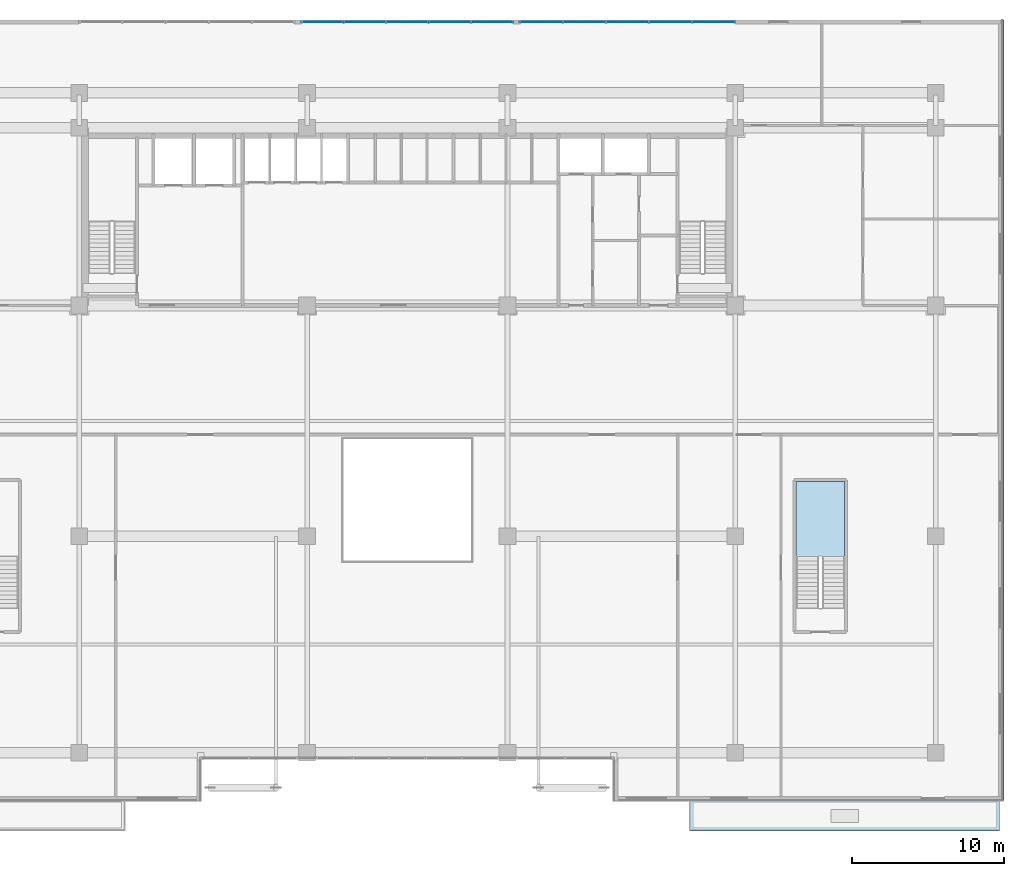
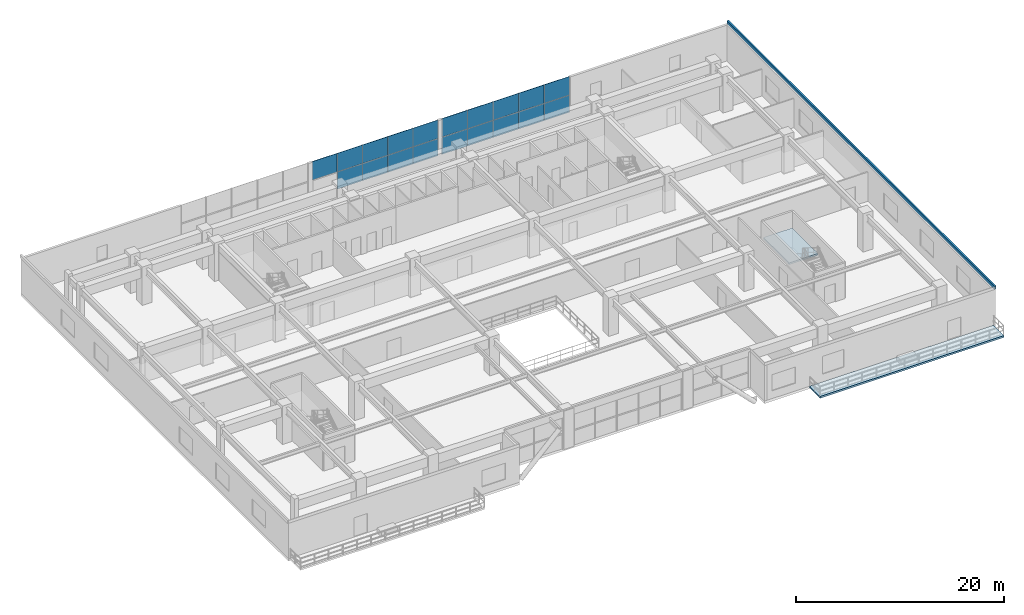
# One storey, part 13 of 24: 20 plates, 2 slabs, 3 elements without a shape of their own.
"""IFC4 building model written with IfcOpenShell, lengths in metres."""

from ifc_helpers import new_model, si_unit, direction, frame, origin, origin_2d, place, context, subcontext, project, spatial, polyline, rectangle, outline, extrude, source, transform, mapped, material, layer, layer_set, type_object, element, aggregate, save


model = new_model("IFC4")

# Units and contexts
model_context = context("Model", 3, precision=1e-05, world=origin(), true_north=direction((0.0, 1.0)))
body_context = subcontext(model_context, "Body", "Model", "MODEL_VIEW")
ifc_project = project(units=[si_unit("LENGTHUNIT", "METRE"), si_unit("AREAUNIT", "SQUARE_METRE"), si_unit("VOLUMEUNIT", "CUBIC_METRE"), si_unit("PLANEANGLEUNIT", "RADIAN"), si_unit("MASSUNIT", "GRAM", prefix="KILO")], contexts=[model_context])

# Site, building, storey
site_placement = place(None, origin())
site = spatial("IfcSite", under=ifc_project, at=site_placement, CompositionType="ELEMENT")
building_placement = place(site_placement, origin())
building = spatial("IfcBuilding", under=site, at=building_placement, Name="Trelvane Seafront Commons", CompositionType="ELEMENT")
storey_placement = place(building_placement, frame((0.0, 0.0, 9.699951171875)))
storey = spatial("IfcBuildingStorey", under=building, at=storey_placement, Name="L02", CompositionType="ELEMENT", Elevation=9.699951171875)

# Stair, slab
ifc_material_1 = material(Name="Concrete C40/50", Category="concrete")
stair_type = type_object("IfcStairType", Name="ARCH-STR-ST-4-R26-173", PredefinedType="HALF_TURN_STAIR", material=ifc_material_1)
stair_placement = place(storey_placement, origin())
stair = element("IfcStair", 1, at=stair_placement, inside=storey, type_object=stair_type, Name="L02 Podium Commons East Promenade Stair ST-4", PredefinedType="HALF_TURN_STAIR")
ifc_layer_1 = layer(ifc_material_1, 0.199951171875, Name="ARCH-LND-200")
ifc_layer_set_1 = layer_set([ifc_layer_1], Name="Concrete C40/50")
slab_type_1 = type_object("IfcSlabType", Name="ARCH-LND-200", PredefinedType="LANDING", material=ifc_layer_set_1)
slab_1_placement = place(storey_placement, frame((0.0, 0.0, 2.050048828125)))
slab_1 = element("IfcSlab", 2, at=slab_1_placement, type_object=slab_type_1, Name="ST-4 landing 1", PredefinedType="LANDING", context=body_context, shape_type="SweptSolid", body=[
    extrude(outline(polyline([(66.0, 16.860107421875), (66.0, 21.800048828125), (62.800048828125, 21.800048828125), (62.800048828125, 16.860107421875), (66.0, 16.860107421875)])), origin(), (0.0, 0.0, 1.0), 0.199951171875),
])
aggregate(stair, [slab_1])

# Slab
ifc_layer_2 = layer(ifc_material_1, 0.2099609375, Name="ARCH-TERR-210")
ifc_layer_set_2 = layer_set([ifc_layer_2], Name="Concrete C40/50")
slab_type_2 = type_object("IfcSlabType", Name="ARCH-TERR-210", PredefinedType="FLOOR", material=ifc_layer_set_2)
slab_2_placement = place(storey_placement, frame((0.0, 0.0, -0.2099609375)))
element("IfcSlab", 3, at=slab_2_placement, inside=storey, type_object=slab_type_2, Name="L02 Podium SE Seafront Promenade Terrace Deck", PredefinedType="FLOOR", context=body_context, shape_type="SweptSolid", body=[
    extrude(outline(polyline([(55.800048828125, -1.199951171875), (76.199951171875, -1.199951171875), (76.199951171875, 0.800048828125), (55.800048828125, 0.800048828125), (55.800048828125, -1.199951171875)])), origin(), (0.0, 0.0, 1.0), 0.2099609375),
])

# Curtain wall, plates
ifc_material_2 = material(Name="Anodised pale-silver aluminium", Category="aluminium")
curtain_wall_type = type_object("IfcCurtainWallType", Name="ARCH-CW1-PODIUM", PredefinedType="NOTDEFINED", material=ifc_material_2)
curtain_wall_1_placement = place(storey_placement, origin())
curtain_wall_1 = element("IfcCurtainWall", 4, at=curtain_wall_1_placement, inside=storey, type_object=curtain_wall_type, Name="CW-L02-0015", PredefinedType="NOTDEFINED")
ifc_material_3 = material(Name="Low-E coastal double glazing", Category="glass")
ifc_layer_3 = layer(ifc_material_3, 0.033935546875, Name="ARCH-CW-GLAZ-34")
ifc_layer_set_3 = layer_set([ifc_layer_3], Name="Low-E coastal double glazing")
plate_type_1 = type_object("IfcPlateType", Name="ARCH-CW-GLAZ-34", PredefinedType="CURTAIN_PANEL", material=ifc_layer_set_3)
shared_shape_1 = source(origin(), body_context, "Body", "SweptSolid", [
    extrude(rectangle(XDim=2.81591796875, YDim=0.035888671875, at=origin_2d()), origin(), (0.0, 0.0, 1.0), 1.998046875),
])
plate_1_placement = place(storey_placement, frame((46.02001953125, 52.070068359375, 0.0), z_axis=(0.0, 0.0, 1.0), x_axis=(1.0, 0.0, 0.0)))
plate_1 = element("IfcPlate", 5, at=plate_1_placement, type_object=plate_type_1, Name="CW-L02-0015-P00-1", PredefinedType="CURTAIN_PANEL", context=body_context, shape_type="MappedRepresentation", body=[
    mapped(shared_shape_1, transform((0.0, 0.0, 0.0), x_axis=(1.0, 0.0, 0.0), y_axis=(0.0, 1.0, 0.0), z_axis=(0.0, 0.0, 1.0), scale=1.0)),
])
plate_2_placement = place(storey_placement, frame((48.860107421875, 52.070068359375, 0.0), z_axis=(0.0, 0.0, 1.0), x_axis=(1.0, 0.0, 0.0)))
plate_2 = element("IfcPlate", 6, at=plate_2_placement, type_object=plate_type_1, Name="CW-L02-0015-P01-1", PredefinedType="CURTAIN_PANEL", context=body_context, shape_type="MappedRepresentation", body=[
    mapped(shared_shape_1, transform((0.0, 0.0, 0.0), x_axis=(1.0, 0.0, 0.0), y_axis=(0.0, 1.0, 0.0), z_axis=(0.0, 0.0, 1.0), scale=1.0)),
])
plate_3_placement = place(storey_placement, frame((51.699951171875, 52.070068359375, 0.0), z_axis=(0.0, 0.0, 1.0), x_axis=(1.0, 0.0, 0.0)))
plate_3 = element("IfcPlate", 7, at=plate_3_placement, type_object=plate_type_1, Name="CW-L02-0015-P02-1", PredefinedType="CURTAIN_PANEL", context=body_context, shape_type="MappedRepresentation", body=[
    mapped(shared_shape_1, transform((0.0, 0.0, 0.0), x_axis=(1.0, 0.0, 0.0), y_axis=(0.0, 1.0, 0.0), z_axis=(0.0, 0.0, 1.0), scale=1.0)),
])
plate_4_placement = place(storey_placement, frame((54.5400390625, 52.070068359375, 0.0), z_axis=(0.0, 0.0, 1.0), x_axis=(1.0, 0.0, 0.0)))
plate_4 = element("IfcPlate", 8, at=plate_4_placement, type_object=plate_type_1, Name="CW-L02-0015-P03-1", PredefinedType="CURTAIN_PANEL", context=body_context, shape_type="MappedRepresentation", body=[
    mapped(shared_shape_1, transform((0.0, 0.0, 0.0), x_axis=(1.0, 0.0, 0.0), y_axis=(0.0, 1.0, 0.0), z_axis=(0.0, 0.0, 1.0), scale=1.0)),
])
plate_5_placement = place(storey_placement, frame((57.3798828125, 52.070068359375, 0.0), z_axis=(0.0, 0.0, 1.0), x_axis=(1.0, 0.0, 0.0)))
plate_5 = element("IfcPlate", 9, at=plate_5_placement, type_object=plate_type_1, Name="CW-L02-0015-P04-1", PredefinedType="CURTAIN_PANEL", context=body_context, shape_type="MappedRepresentation", body=[
    mapped(shared_shape_1, transform((0.0, 0.0, 0.0), x_axis=(1.0, 0.0, 0.0), y_axis=(0.0, 1.0, 0.0), z_axis=(0.0, 0.0, 1.0), scale=1.0)),
])
shared_shape_2 = source(origin(), body_context, "Body", "SweptSolid", [
    extrude(rectangle(XDim=2.81591796875, YDim=0.035888671875, at=origin_2d()), origin(), (0.0, 0.0, 1.0), 2.166015625),
])
plate_6_placement = place(storey_placement, frame((46.02001953125, 52.070068359375, 2.033935546875), z_axis=(0.0, 0.0, 1.0), x_axis=(1.0, 0.0, 0.0)))
plate_6 = element("IfcPlate", 10, at=plate_6_placement, type_object=plate_type_1, Name="CW-L02-0015-P00-2", PredefinedType="CURTAIN_PANEL", context=body_context, shape_type="MappedRepresentation", body=[
    mapped(shared_shape_2, transform((0.0, 0.0, 0.0), x_axis=(1.0, 0.0, 0.0), y_axis=(0.0, 1.0, 0.0), z_axis=(0.0, 0.0, 1.0), scale=1.0)),
])
plate_7_placement = place(storey_placement, frame((48.860107421875, 52.070068359375, 2.033935546875), z_axis=(0.0, 0.0, 1.0), x_axis=(1.0, 0.0, 0.0)))
plate_7 = element("IfcPlate", 11, at=plate_7_placement, type_object=plate_type_1, Name="CW-L02-0015-P01-2", PredefinedType="CURTAIN_PANEL", context=body_context, shape_type="MappedRepresentation", body=[
    mapped(shared_shape_2, transform((0.0, 0.0, 0.0), x_axis=(1.0, 0.0, 0.0), y_axis=(0.0, 1.0, 0.0), z_axis=(0.0, 0.0, 1.0), scale=1.0)),
])
plate_8_placement = place(storey_placement, frame((51.699951171875, 52.070068359375, 2.033935546875), z_axis=(0.0, 0.0, 1.0), x_axis=(1.0, 0.0, 0.0)))
plate_8 = element("IfcPlate", 12, at=plate_8_placement, type_object=plate_type_1, Name="CW-L02-0015-P02-2", PredefinedType="CURTAIN_PANEL", context=body_context, shape_type="MappedRepresentation", body=[
    mapped(shared_shape_2, transform((0.0, 0.0, 0.0), x_axis=(1.0, 0.0, 0.0), y_axis=(0.0, 1.0, 0.0), z_axis=(0.0, 0.0, 1.0), scale=1.0)),
])
plate_9_placement = place(storey_placement, frame((54.5400390625, 52.070068359375, 2.033935546875), z_axis=(0.0, 0.0, 1.0), x_axis=(1.0, 0.0, 0.0)))
plate_9 = element("IfcPlate", 13, at=plate_9_placement, type_object=plate_type_1, Name="CW-L02-0015-P03-2", PredefinedType="CURTAIN_PANEL", context=body_context, shape_type="MappedRepresentation", body=[
    mapped(shared_shape_2, transform((0.0, 0.0, 0.0), x_axis=(1.0, 0.0, 0.0), y_axis=(0.0, 1.0, 0.0), z_axis=(0.0, 0.0, 1.0), scale=1.0)),
])
plate_10_placement = place(storey_placement, frame((57.3798828125, 52.070068359375, 2.033935546875), z_axis=(0.0, 0.0, 1.0), x_axis=(1.0, 0.0, 0.0)))
plate_10 = element("IfcPlate", 14, at=plate_10_placement, type_object=plate_type_1, Name="CW-L02-0015-P04-2", PredefinedType="CURTAIN_PANEL", context=body_context, shape_type="MappedRepresentation", body=[
    mapped(shared_shape_2, transform((0.0, 0.0, 0.0), x_axis=(1.0, 0.0, 0.0), y_axis=(0.0, 1.0, 0.0), z_axis=(0.0, 0.0, 1.0), scale=1.0)),
])
aggregate(curtain_wall_1, [plate_1, plate_6, plate_2, plate_7, plate_3, plate_8, plate_4, plate_9, plate_5, plate_10])

curtain_wall_2_placement = place(storey_placement, origin())
curtain_wall_2 = element("IfcCurtainWall", 15, at=curtain_wall_2_placement, inside=storey, type_object=curtain_wall_type, Name="CW-L02-0014", PredefinedType="NOTDEFINED")
shared_shape_3 = source(origin(), body_context, "Body", "SweptSolid", [
    extrude(rectangle(XDim=2.77587890625, YDim=0.035888671875, at=origin_2d()), origin(), (0.0, 0.0, 1.0), 1.998046875),
])
plate_11_placement = place(storey_placement, frame((34.39990234375, 52.070068359375, 0.0), z_axis=(0.0, 0.0, 1.0), x_axis=(1.0, 0.0, 0.0)))
plate_11 = element("IfcPlate", 16, at=plate_11_placement, type_object=plate_type_1, Name="CW-L02-0014-P01-1", PredefinedType="CURTAIN_PANEL", context=body_context, shape_type="MappedRepresentation", body=[
    mapped(shared_shape_3, transform((0.0, 0.0, 0.0), x_axis=(1.0, 0.0, 0.0), y_axis=(0.0, 1.0, 0.0), z_axis=(0.0, 0.0, 1.0), scale=1.0)),
])
plate_12_placement = place(storey_placement, frame((37.199951171875, 52.070068359375, 0.0), z_axis=(0.0, 0.0, 1.0), x_axis=(1.0, 0.0, 0.0)))
plate_12 = element("IfcPlate", 17, at=plate_12_placement, type_object=plate_type_1, Name="CW-L02-0014-P02-1", PredefinedType="CURTAIN_PANEL", context=body_context, shape_type="MappedRepresentation", body=[
    mapped(shared_shape_3, transform((0.0, 0.0, 0.0), x_axis=(1.0, 0.0, 0.0), y_axis=(0.0, 1.0, 0.0), z_axis=(0.0, 0.0, 1.0), scale=1.0)),
])
plate_13_placement = place(storey_placement, frame((40.0, 52.070068359375, 0.0), z_axis=(0.0, 0.0, 1.0), x_axis=(1.0, 0.0, 0.0)))
plate_13 = element("IfcPlate", 18, at=plate_13_placement, type_object=plate_type_1, Name="CW-L02-0014-P03-1", PredefinedType="CURTAIN_PANEL", context=body_context, shape_type="MappedRepresentation", body=[
    mapped(shared_shape_3, transform((0.0, 0.0, 0.0), x_axis=(1.0, 0.0, 0.0), y_axis=(0.0, 1.0, 0.0), z_axis=(0.0, 0.0, 1.0), scale=1.0)),
])
plate_14_placement = place(storey_placement, frame((42.800048828125, 52.070068359375, 0.0), z_axis=(0.0, 0.0, 1.0), x_axis=(1.0, 0.0, 0.0)))
plate_14 = element("IfcPlate", 19, at=plate_14_placement, type_object=plate_type_1, Name="CW-L02-0014-P04-1", PredefinedType="CURTAIN_PANEL", context=body_context, shape_type="MappedRepresentation", body=[
    mapped(shared_shape_3, transform((0.0, 0.0, 0.0), x_axis=(1.0, 0.0, 0.0), y_axis=(0.0, 1.0, 0.0), z_axis=(0.0, 0.0, 1.0), scale=1.0)),
])
shared_shape_4 = source(origin(), body_context, "Body", "SweptSolid", [
    extrude(rectangle(XDim=2.77587890625, YDim=0.035888671875, at=origin_2d()), origin(), (0.0, 0.0, 1.0), 2.166015625),
])
plate_15_placement = place(storey_placement, frame((31.60009765625, 52.070068359375, 2.033935546875), z_axis=(0.0, 0.0, 1.0), x_axis=(1.0, 0.0, 0.0)))
plate_15 = element("IfcPlate", 20, at=plate_15_placement, type_object=plate_type_1, Name="CW-L02-0014-P00-2", PredefinedType="CURTAIN_PANEL", context=body_context, shape_type="MappedRepresentation", body=[
    mapped(shared_shape_4, transform((0.0, 0.0, 0.0), x_axis=(1.0, 0.0, 0.0), y_axis=(0.0, 1.0, 0.0), z_axis=(0.0, 0.0, 1.0), scale=1.0)),
])
plate_16_placement = place(storey_placement, frame((34.39990234375, 52.070068359375, 2.033935546875), z_axis=(0.0, 0.0, 1.0), x_axis=(1.0, 0.0, 0.0)))
plate_16 = element("IfcPlate", 21, at=plate_16_placement, type_object=plate_type_1, Name="CW-L02-0014-P01-2", PredefinedType="CURTAIN_PANEL", context=body_context, shape_type="MappedRepresentation", body=[
    mapped(shared_shape_4, transform((0.0, 0.0, 0.0), x_axis=(1.0, 0.0, 0.0), y_axis=(0.0, 1.0, 0.0), z_axis=(0.0, 0.0, 1.0), scale=1.0)),
])
plate_17_placement = place(storey_placement, frame((37.199951171875, 52.070068359375, 2.033935546875), z_axis=(0.0, 0.0, 1.0), x_axis=(1.0, 0.0, 0.0)))
plate_17 = element("IfcPlate", 22, at=plate_17_placement, type_object=plate_type_1, Name="CW-L02-0014-P02-2", PredefinedType="CURTAIN_PANEL", context=body_context, shape_type="MappedRepresentation", body=[
    mapped(shared_shape_4, transform((0.0, 0.0, 0.0), x_axis=(1.0, 0.0, 0.0), y_axis=(0.0, 1.0, 0.0), z_axis=(0.0, 0.0, 1.0), scale=1.0)),
])
plate_18_placement = place(storey_placement, frame((40.0, 52.070068359375, 2.033935546875), z_axis=(0.0, 0.0, 1.0), x_axis=(1.0, 0.0, 0.0)))
plate_18 = element("IfcPlate", 23, at=plate_18_placement, type_object=plate_type_1, Name="CW-L02-0014-P03-2", PredefinedType="CURTAIN_PANEL", context=body_context, shape_type="MappedRepresentation", body=[
    mapped(shared_shape_4, transform((0.0, 0.0, 0.0), x_axis=(1.0, 0.0, 0.0), y_axis=(0.0, 1.0, 0.0), z_axis=(0.0, 0.0, 1.0), scale=1.0)),
])
plate_19_placement = place(storey_placement, frame((42.800048828125, 52.070068359375, 2.033935546875), z_axis=(0.0, 0.0, 1.0), x_axis=(1.0, 0.0, 0.0)))
plate_19 = element("IfcPlate", 24, at=plate_19_placement, type_object=plate_type_1, Name="CW-L02-0014-P04-2", PredefinedType="CURTAIN_PANEL", context=body_context, shape_type="MappedRepresentation", body=[
    mapped(shared_shape_4, transform((0.0, 0.0, 0.0), x_axis=(1.0, 0.0, 0.0), y_axis=(0.0, 1.0, 0.0), z_axis=(0.0, 0.0, 1.0), scale=1.0)),
])
aggregate(curtain_wall_2, [plate_15, plate_11, plate_16, plate_12, plate_17, plate_13, plate_18, plate_14, plate_19])

# Plate
ifc_layer_4 = layer(ifc_material_2, 0.179931640625, Name="ARCH-PLATE-AERO")
ifc_layer_set_4 = layer_set([ifc_layer_4], Name="Anodised pale-silver aluminium")
plate_type_2 = type_object("IfcPlateType", Name="ARCH-PLATE-AERO", PredefinedType="SHEET", material=ifc_layer_set_4)
shared_shape_5 = source(origin(), body_context, "Body", "SweptSolid", [
    extrude(rectangle(XDim=51.39990234375, YDim=0.179931640625, at=origin_2d()), origin(), (0.0, 0.0, 1.0), 0.3798828125),
])
plate_20_placement = place(storey_placement, frame((76.39990234375, 26.5, 4.14013671875), z_axis=(0.0, 0.0, 1.0), x_axis=(0.0, -1.0, 0.0)))
element("IfcPlate", 25, at=plate_20_placement, inside=storey, type_object=plate_type_2, Name="AER-L02-00007", PredefinedType="SHEET", context=body_context, shape_type="MappedRepresentation", body=[
    mapped(shared_shape_5, transform((0.0, 0.0, 0.0), x_axis=(1.0, 0.0, 0.0), y_axis=(0.0, 1.0, 0.0), z_axis=(0.0, 0.0, 1.0), scale=1.0)),
])

save(model, "model.ifc")
